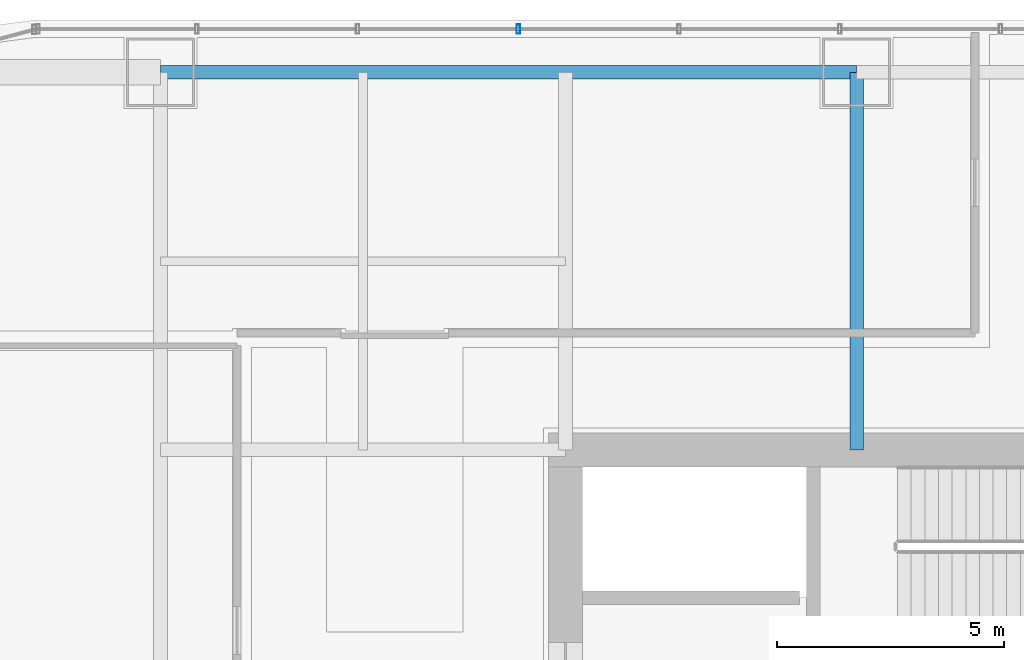
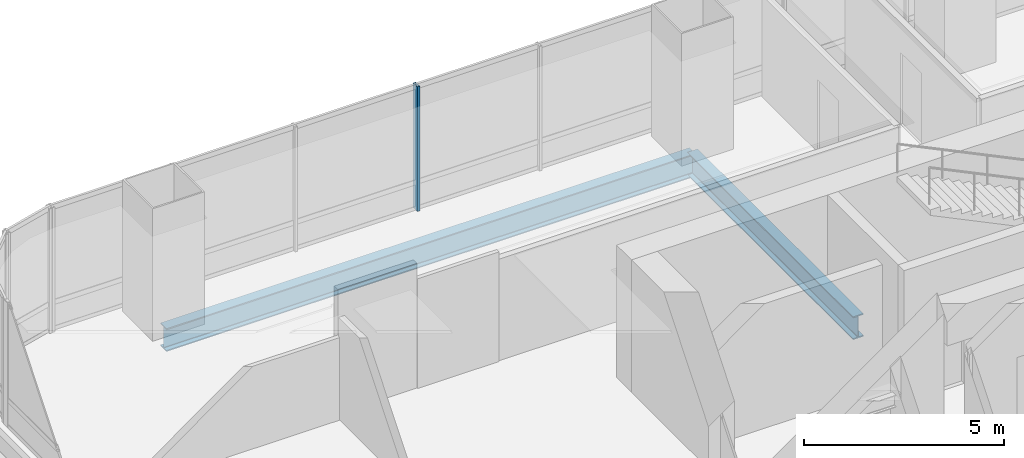
# One storey, part 20 of 36: 2 beams, 1 member, 1 element without a shape of its own.
"""IFC4 building model written with IfcOpenShell, lengths in metres."""

import ifcopenshell
import ifcopenshell.guid

model = None  # the IFC model being written
_history = None  # IfcOwnerHistory: only IFC2X3 demands one
_inside = {}  # id of a spatial element -> (the spatial element, [elements in it])
_under = {}  # id of a project, library or spatial element -> (it, [spatial elements below it])
_declared = {}  # id of a project -> (the project, [libraries it declares])
_typed = {}  # id of a type object -> (the type object, [elements of that type])
_made_of = {}  # id of a material, layer set ... -> (it, [elements and type objects made of it])


def new_model(schema):
    """Start an empty IFC model of exactly this schema.

    Asked for "IFC4X3", IfcOpenShell would pick the latest addendum, in which some entities
    have other attributes; the version numbers below select the first issue.
    IFC2X3 requires an IfcOwnerHistory on every rooted entity: one is made here for all.
    """
    global model, _history
    if schema == "IFC4X3":
        model = ifcopenshell.file(schema_version=(4, 3, 0, 0))
    else:
        model = ifcopenshell.file(schema=schema)
    _inside.clear()
    _under.clear()
    _declared.clear()
    _typed.clear()
    _made_of.clear()
    _history = None
    if model.schema == "IFC2X3":
        org = make("IfcOrganization", Name="unknown")
        user = make(
            "IfcPersonAndOrganization",
            ThePerson=make("IfcPerson", FamilyName="unknown"),
            TheOrganization=org,
        )
        app = make(
            "IfcApplication",
            ApplicationDeveloper=org,
            Version="unknown",
            ApplicationFullName="unknown",
            ApplicationIdentifier="unknown",
        )
        _history = make(
            "IfcOwnerHistory",
            OwningUser=user,
            OwningApplication=app,
            ChangeAction="ADDED",
            CreationDate=0,
        )
    return model


def make(cls, **values):
    """One entity of the class cls with the attributes given. An attribute that is None is left unset."""
    return model.create_entity(
        cls, **{name: value for name, value in values.items() if value is not None}
    )


def rooted(cls, **values):
    """An entity with a GlobalId (a new one), such as an element, a storey or a relation."""
    return make(cls, GlobalId=ifcopenshell.guid.new(), OwnerHistory=_history, **values)


def si_unit(unit_type, name, prefix=None):
    """IfcSIUnit, for example si_unit("LENGTHUNIT", "METRE", prefix="MILLI")."""
    return make("IfcSIUnit", UnitType=unit_type, Prefix=prefix, Name=name)


def assignment(units):
    """IfcUnitAssignment: the units of a project."""
    return None if units is None else make("IfcUnitAssignment", Units=units)


def point(xyz):
    """IfcCartesianPoint."""
    return None if xyz is None else make("IfcCartesianPoint", Coordinates=xyz)


def direction(xyz):
    """IfcDirection."""
    return None if xyz is None else make("IfcDirection", DirectionRatios=xyz)


def frame(location, z_axis=None, x_axis=None):
    """IfcAxis2Placement3D, a coordinate frame: its origin and axes. An axis left out is left unset."""
    return make(
        "IfcAxis2Placement3D",
        Location=point(location),
        Axis=direction(z_axis),
        RefDirection=direction(x_axis),
    )


def frame_2d(location, x_axis=None):
    """IfcAxis2Placement2D, a coordinate frame in the plane: its origin and x axis."""
    return make(
        "IfcAxis2Placement2D", Location=point(location), RefDirection=direction(x_axis)
    )


def origin():
    """The frame at (0, 0, 0) with its axes left unset."""
    return frame((0.0, 0.0, 0.0))


def origin_2d():
    """The frame at (0, 0) in the plane with its x axis left unset."""
    return frame_2d((0.0, 0.0))


def place(relative_to, where):
    """IfcLocalPlacement: puts the frame where relative to a parent placement (None: the world)."""
    return make(
        "IfcLocalPlacement", PlacementRelTo=relative_to, RelativePlacement=where
    )


def context(
    kind, dimensions, precision=None, world=None, true_north=None, identifier=None
):
    """IfcGeometricRepresentationContext, for example the 3D "Model" context."""
    return make(
        "IfcGeometricRepresentationContext",
        ContextIdentifier=identifier,
        ContextType=kind,
        CoordinateSpaceDimension=dimensions,
        Precision=precision,
        WorldCoordinateSystem=world,
        TrueNorth=true_north,
    )


def subcontext(parent, identifier, kind, view, scale=None):
    """IfcGeometricRepresentationSubContext, for example "Body" below "Model"."""
    return make(
        "IfcGeometricRepresentationSubContext",
        ContextIdentifier=identifier,
        ContextType=kind,
        ParentContext=parent,
        TargetScale=scale,
        TargetView=view,
    )


def project(units=None, contexts=None):
    """IfcProject with its units and contexts."""
    return rooted(
        "IfcProject",
        Name="project",
        RepresentationContexts=contexts,
        UnitsInContext=assignment(units),
    )


def spatial(cls, under=None, at=None, **own):
    """A site, building, storey or space (cls), placed at a placement, below another one or the project."""
    s = rooted(cls, ObjectPlacement=at, **own)
    if under is not None:
        _under.setdefault(under.id(), (under, []))[1].append(s)
    return s


def profile(cls, at=None, kind="AREA", **sizes):
    """A parametric profile (cls). Its sizes go by their IFC names, for example OverallWidth=200.0."""
    return make(cls, ProfileType=kind, Position=at, **sizes)


def hollow_rectangle(**sizes):
    """IfcRectangleHollowProfileDef."""
    return profile("IfcRectangleHollowProfileDef", **sizes)


def i_section(**sizes):
    """IfcIShapeProfileDef."""
    return profile("IfcIShapeProfileDef", **sizes)


def extrude(swept, where, along, depth):
    """IfcExtrudedAreaSolid: the profile swept, set in the frame where, extruded along a direction by depth."""
    return make(
        "IfcExtrudedAreaSolid",
        SweptArea=swept,
        Position=where,
        ExtrudedDirection=direction(along),
        Depth=depth,
    )


def shape(context_of_items, identifier, shape_type, items):
    """IfcShapeRepresentation: the items that make up one representation, for example the "Body"."""
    return make(
        "IfcShapeRepresentation",
        ContextOfItems=context_of_items,
        RepresentationIdentifier=identifier,
        RepresentationType=shape_type,
        Items=items,
    )


def material(Name=None, Category=None):
    """IfcMaterial."""
    return make("IfcMaterial", Name=Name, Category=Category)


def material_profile(
    of_material, cross_section, Name=None, Category=None, Priority=None
):
    """IfcMaterialProfile: a cross section and its material."""
    return make(
        "IfcMaterialProfile",
        Name=Name,
        Material=of_material,
        Profile=cross_section,
        Priority=Priority,
        Category=Category,
    )


def profile_set(profiles, Name=None, composite=None):
    """IfcMaterialProfileSet."""
    return make(
        "IfcMaterialProfileSet",
        Name=Name,
        MaterialProfiles=profiles,
        CompositeProfile=composite,
    )


def made_of(thing, what):
    """Note that an element or type object is made of a material, layer set ...; save() writes the relation."""
    if what is not None:
        _made_of.setdefault(what.id(), (what, []))[1].append(thing)
    return thing


def type_object(cls, material=None, **own):
    """A type object (cls), such as IfcWallType, which elements share."""
    return made_of(rooted(cls, **own), material)


def element(
    cls,
    number,
    at=None,
    inside=None,
    cuts=None,
    type_object=None,
    material=None,
    context=None,
    identifier="Body",
    shape_type=None,
    held_by="IfcProductDefinitionShape",
    body=None,
    shapes=None,
    **own,
):
    """One element of the class cls, such as IfcWall. Its Tag is "e" and its number.

    at: its placement. inside: the storey or other place that contains it. cuts: it is an
    opening in that element (IfcRelVoidsElement). A single representation is given by context,
    identifier, shape_type and body (its items); several are given by shapes. held_by: the class
    of the entity that holds the representations. save() writes the other relations.
    """
    e = rooted(cls, Tag="e%d" % number, ObjectPlacement=at, **own)
    if body is not None:
        shapes = [shape(context, identifier, shape_type, body)]
    if shapes is not None:
        e.Representation = make(held_by, Representations=shapes)
    if inside is not None:
        _inside.setdefault(inside.id(), (inside, []))[1].append(e)
    if cuts is not None:
        rooted(
            "IfcRelVoidsElement", RelatingBuildingElement=cuts, RelatedOpeningElement=e
        )
    if type_object is not None:
        _typed.setdefault(type_object.id(), (type_object, []))[1].append(e)
    return made_of(e, material)


def aggregate(whole, parts):
    """IfcRelAggregates: a whole, such as a stair, and the parts it consists of."""
    return rooted("IfcRelAggregates", RelatingObject=whole, RelatedObjects=parts)


def save(model, path):
    """Write the relations noted so far, then the file.

    IfcRelAggregates (storeys below a building ...), IfcRelContainedInSpatialStructure (elements
    in a storey), IfcRelDefinesByType, IfcRelAssociatesMaterial and IfcRelDeclares: one each for
    every whole, place, type object, material and project.
    """
    for whole, parts in _under.values():
        aggregate(whole, parts)
    for where, things in _inside.values():
        rooted(
            "IfcRelContainedInSpatialStructure",
            RelatedElements=things,
            RelatingStructure=where,
        )
    for kind, things in _typed.values():
        rooted("IfcRelDefinesByType", RelatedObjects=things, RelatingType=kind)
    for what, things in _made_of.values():
        rooted("IfcRelAssociatesMaterial", RelatedObjects=things, RelatingMaterial=what)
    for by, libraries in _declared.values():
        rooted("IfcRelDeclares", RelatingContext=by, RelatedDefinitions=libraries)
    model.write(path)


model = new_model("IFC4")

# Units and contexts
model_context = context("Model", 3, precision=1e-05, world=origin(), true_north=direction((0.0, 1.0)))
body_context = subcontext(model_context, "Body", "Model", "MODEL_VIEW")
ifc_project = project(units=[si_unit("LENGTHUNIT", "METRE"), si_unit("AREAUNIT", "SQUARE_METRE"), si_unit("VOLUMEUNIT", "CUBIC_METRE"), si_unit("PLANEANGLEUNIT", "RADIAN"), si_unit("MASSUNIT", "GRAM", prefix="KILO")], contexts=[model_context])

# Site, building, storey
site_placement = place(None, origin())
site = spatial("IfcSite", under=ifc_project, at=site_placement, CompositionType="ELEMENT")
building_placement = place(site_placement, origin())
building = spatial("IfcBuilding", under=site, at=building_placement, Name="Punatoya Terracotta Tower", CompositionType="ELEMENT")
storey_placement = place(building_placement, frame((0.0, 0.0, 32.25)))
storey = spatial("IfcBuildingStorey", under=building, at=storey_placement, Name="L06", CompositionType="ELEMENT", Elevation=32.25)

# Beams
ifc_material_1 = material(Name="Steel S355", Category="steel")
ifc_material_profile_1 = material_profile(ifc_material_1, i_section(OverallWidth=0.300048828125, OverallDepth=0.699951171875, WebThickness=0.01708984375, FlangeThickness=0.031982421875, FilletRadius=0.01806640625, at=origin_2d()))
ifc_profile_set_1 = profile_set([ifc_material_profile_1], Name="Steel S355")
beam_type = type_object("IfcBeamType", Name="BM-PRI-700", PredefinedType="BEAM", material=ifc_profile_set_1)
beam_1_placement = place(storey_placement, frame((-19.10009765625, 17.5, -0.590087890625), z_axis=(1.0, 0.0, 0.0), x_axis=(0.0, 1.0, 0.0)))
element("IfcBeam", 1, at=beam_1_placement, inside=storey, type_object=beam_type, Name="BM-L06-RG-N1", PredefinedType="BEAM", context=body_context, shape_type="SweptSolid", body=[
    extrude(i_section(OverallWidth=0.300048828125, OverallDepth=0.699951171875, WebThickness=0.01708984375, FlangeThickness=0.031982421875, FilletRadius=0.01806640625, at=origin_2d()), origin(), (0.0, 0.0, 1.0), 15.300048828125),
])
beam_2_placement = place(storey_placement, frame((-3.800048828125, 9.199951171875, -0.590087890625), z_axis=(0.0, 1.0, 0.0), x_axis=(-1.0, 0.0, 0.0)))
element("IfcBeam", 2, at=beam_2_placement, inside=storey, type_object=beam_type, Name="BM-L06-PR-N2", PredefinedType="BEAM", context=body_context, shape_type="SweptSolid", body=[
    extrude(i_section(OverallWidth=0.300048828125, OverallDepth=0.699951171875, WebThickness=0.01708984375, FlangeThickness=0.031982421875, FilletRadius=0.01806640625, at=origin_2d()), origin(), (0.0, 0.0, 1.0), 8.300048828125),
])

# Curtain wall, member
ifc_material_2 = material(Name="Aluminium 6063-T6 + Double Low-E Glass", Category="aluminium")
curtain_wall_type = type_object("IfcCurtainWallType", Name="CW-M1", PredefinedType="NOTDEFINED", material=ifc_material_2)
curtain_wall_placement = place(storey_placement, origin())
curtain_wall = element("IfcCurtainWall", 3, at=curtain_wall_placement, inside=storey, type_object=curtain_wall_type, Name="L06 Curtain Wall CW-L06-N09-1", PredefinedType="NOTDEFINED")
ifc_material_3 = material(Name="Aluminium 6063-T6", Category="aluminium")
ifc_material_profile_2 = material_profile(ifc_material_3, hollow_rectangle(XDim=0.074951171875, YDim=0.2099609375, WallThickness=0.00439453125, at=origin_2d()))
ifc_profile_set_2 = profile_set([ifc_material_profile_2], Name="Aluminium 6063-T6")
member_type = type_object("IfcMemberType", Name="CW-MUL-M1", PredefinedType="MULLION", material=ifc_profile_set_2)
member_placement = place(storey_placement, frame((-11.235107421875, 18.449951171875, 0.0), z_axis=(0.0, 0.0, 1.0), x_axis=(1.0, 0.0, 0.0)))
member = element("IfcMember", 4, at=member_placement, type_object=member_type, Name="CW-L06-N09-1 Mullion 08", PredefinedType="MULLION", context=body_context, shape_type="SweptSolid", body=[
    extrude(hollow_rectangle(XDim=0.074951171875, YDim=0.2099609375, WallThickness=0.00439453125, at=origin_2d()), origin(), (0.0, 0.0, 1.0), 3.81005859375),
])
aggregate(curtain_wall, [member])

save(model, "model.ifc")
